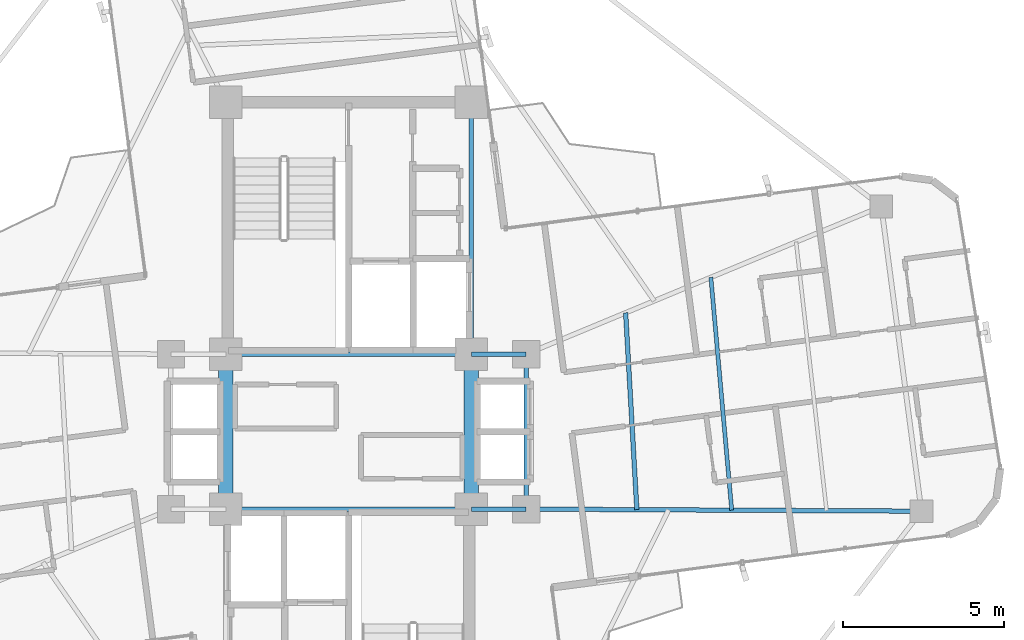
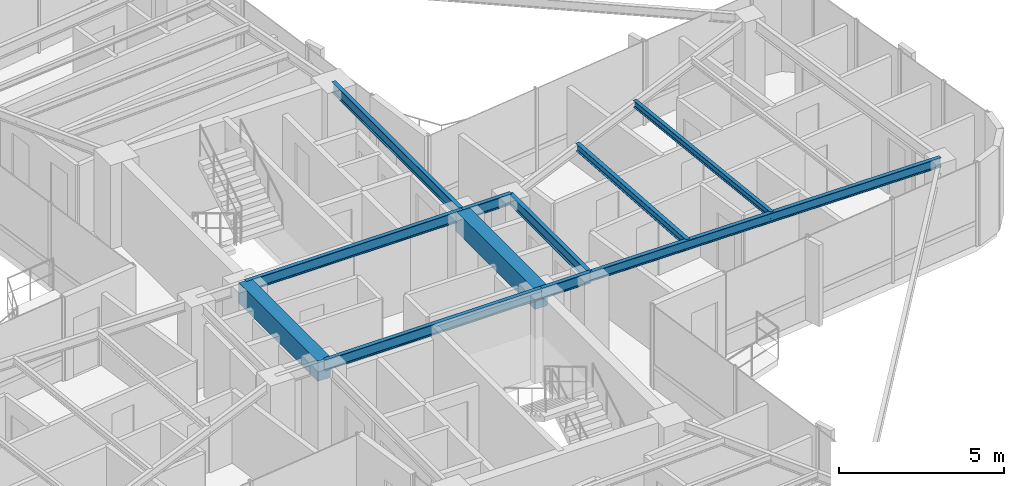
# One storey, part 10 of 23: 11 beams.
"""IFC4 building model written with IfcOpenShell, lengths in metres."""

from ifc_helpers import new_model, si_unit, direction, frame, origin, origin_2d, place, context, subcontext, project, spatial, rectangle, i_section, extrude, source, transform, mapped, material, material_profile, profile_set, type_object, element, save


model = new_model("IFC4")

# Units and contexts
model_context = context("Model", 3, precision=1e-05, world=origin(), true_north=direction((0.0, 1.0)))
body_context = subcontext(model_context, "Body", "Model", "MODEL_VIEW")
ifc_project = project(units=[si_unit("LENGTHUNIT", "METRE"), si_unit("AREAUNIT", "SQUARE_METRE"), si_unit("VOLUMEUNIT", "CUBIC_METRE"), si_unit("PLANEANGLEUNIT", "RADIAN"), si_unit("MASSUNIT", "GRAM", prefix="KILO")], contexts=[model_context])

# Site, building, storey
site_placement = place(None, origin())
site = spatial("IfcSite", under=ifc_project, at=site_placement, CompositionType="ELEMENT")
building_placement = place(site_placement, origin())
building = spatial("IfcBuilding", under=site, at=building_placement, Name="Sahyath Konkavel Grand Hotel", CompositionType="ELEMENT")
storey_placement = place(building_placement, frame((0.0, 0.0, 251.199951171875)))
storey = spatial("IfcBuildingStorey", under=building, at=storey_placement, Name="L70", CompositionType="ELEMENT", Elevation=251.199951171875)

# Beams
ifc_material_1 = material(Name="Steel E350", Category="steel")
ifc_material_profile_1 = material_profile(ifc_material_1, i_section(OverallWidth=0.139892578125, OverallDepth=0.39990234375, WebThickness=0.0087890625, FlangeThickness=0.01611328125, FilletRadius=0.013916015625, at=origin_2d()), Name="ISMB 400")
ifc_profile_set_1 = profile_set([ifc_material_profile_1], Name="Steel E350")
beam_type_1 = type_object("IfcBeamType", Name="BM-ISMB400", PredefinedType="BEAM", material=ifc_profile_set_1)
shared_shape_1 = source(origin(), body_context, "Body", "SweptSolid", [
    extrude(i_section(OverallWidth=0.139892578125, OverallDepth=0.39990234375, WebThickness=0.0087890625, FlangeThickness=0.01611328125, FilletRadius=0.013916015625, at=origin_2d()), origin(), (0.0, 0.0, 1.0), 7.60009765625),
])
for number, where, z_axis, x_axis, name in (
    (1, (-3.800048828125, 2.39990234375, 2.91015625), (1.0, 0.0, 0.0), (0.0, 1.0, 0.0), "str:bm:L70:NC-S"),
    (2, (-3.800048828125, -2.39990234375, 2.91015625), (1.0, 0.0, 0.0), (0.0, 1.0, 0.0), "str:bm:L70:SC-N"),
):
    element("IfcBeam", number, at=place(storey_placement, frame(where, z_axis=z_axis, x_axis=x_axis)), inside=storey, type_object=beam_type_1, Name=name, PredefinedType="BEAM", context=body_context, shape_type="MappedRepresentation", body=[
        mapped(shared_shape_1, transform((0.0, 0.0, 0.0), scale=1.0)),
    ])
shared_shape_2 = source(origin(), body_context, "Body", "SweptSolid", [
    extrude(i_section(OverallWidth=0.139892578125, OverallDepth=0.39990234375, WebThickness=0.0087890625, FlangeThickness=0.01611328125, FilletRadius=0.013916015625, at=origin_2d()), origin(), (0.0, 0.0, 1.0), 7.800048828125),
])
beam_1_placement = place(storey_placement, frame((3.800048828125, 2.39990234375, 2.91015625), z_axis=(0.0, 1.0, 0.0), x_axis=(-1.0, 0.0, 0.0)))
element("IfcBeam", 3, at=beam_1_placement, inside=storey, type_object=beam_type_1, Name="str:bm:L70:NC-E", PredefinedType="BEAM", context=body_context, shape_type="MappedRepresentation", body=[
    mapped(shared_shape_2, transform((0.0, 0.0, 0.0), scale=1.0)),
])
shared_shape_3 = source(origin(), body_context, "Body", "SweptSolid", [
    extrude(i_section(OverallWidth=0.139892578125, OverallDepth=0.39990234375, WebThickness=0.0087890625, FlangeThickness=0.01611328125, FilletRadius=0.013916015625, at=origin_2d()), origin(), (0.0, 0.0, 1.0), 1.699951171875),
])
for number, where, z_axis, x_axis, name in (
    (4, (3.800048828125, 2.39990234375, 2.91015625), (1.0, 0.0, 0.0), (0.0, 1.0, 0.0), "str:bm:L70:HB-NE"),
    (5, (3.800048828125, -2.39990234375, 2.91015625), (1.0, 0.0, 0.0), (0.0, 1.0, 0.0), "str:bm:L70:HB-SE"),
):
    element("IfcBeam", number, at=place(storey_placement, frame(where, z_axis=z_axis, x_axis=x_axis)), inside=storey, type_object=beam_type_1, Name=name, PredefinedType="BEAM", context=body_context, shape_type="MappedRepresentation", body=[
        mapped(shared_shape_3, transform((0.0, 0.0, 0.0), scale=1.0)),
    ])
shared_shape_4 = source(origin(), body_context, "Body", "SweptSolid", [
    extrude(i_section(OverallWidth=0.139892578125, OverallDepth=0.39990234375, WebThickness=0.0087890625, FlangeThickness=0.01611328125, FilletRadius=0.013916015625, at=origin_2d()), origin(), (0.0, 0.0, 1.0), 4.7998046875),
])
beam_2_placement = place(storey_placement, frame((5.5, -2.39990234375, 2.91015625), z_axis=(0.0, 1.0, 0.0), x_axis=(-1.0, 0.0, 0.0)))
element("IfcBeam", 6, at=beam_2_placement, inside=storey, type_object=beam_type_1, Name="str:bm:L70:HB-E", PredefinedType="BEAM", context=body_context, shape_type="MappedRepresentation", body=[
    mapped(shared_shape_4, transform((0.0, 0.0, 0.0), scale=1.0)),
])
ifc_material_2 = material(Name="Concrete C40/50", Category="concrete")
ifc_material_profile_2 = material_profile(ifc_material_2, rectangle(XDim=0.449951171875, YDim=0.75, at=origin_2d()), Name="RC 450x750")
ifc_profile_set_2 = profile_set([ifc_material_profile_2], Name="Concrete C40/50")
beam_type_2 = type_object("IfcBeamType", Name="BM-CB450x750", PredefinedType="LINTEL", material=ifc_profile_set_2)
shared_shape_5 = source(origin(), body_context, "Body", "SweptSolid", [
    extrude(rectangle(XDim=0.449951171875, YDim=0.75, at=origin_2d()), origin(), (0.0, 0.0, 1.0), 4.7998046875),
])
for number, where, z_axis, x_axis, name in (
    (7, (-3.800048828125, -2.39990234375, 2.735107421875), (0.0, 1.0, 0.0), (-1.0, 0.0, 0.0), "L70 Split-Core Coupling Beam West"),
    (8, (3.800048828125, -2.39990234375, 2.735107421875), (0.0, 1.0, 0.0), (-1.0, 0.0, 0.0), "L70 Split-Core Coupling Beam East"),
):
    element("IfcBeam", number, at=place(storey_placement, frame(where, z_axis=z_axis, x_axis=x_axis)), inside=storey, type_object=beam_type_2, Name=name, PredefinedType="LINTEL", context=body_context, shape_type="MappedRepresentation", body=[
        mapped(shared_shape_5, transform((0.0, 0.0, 0.0), scale=1.0)),
    ])
ifc_material_profile_3 = material_profile(ifc_material_1, i_section(OverallWidth=0.139892578125, OverallDepth=0.35009765625, WebThickness=0.008056640625, FlangeThickness=0.01416015625, FilletRadius=0.013916015625, at=origin_2d()), Name="ISMB 350")
ifc_profile_set_3 = profile_set([ifc_material_profile_3], Name="Steel E350")
beam_type_3 = type_object("IfcBeamType", Name="BM-ISMB350", PredefinedType="BEAM", material=ifc_profile_set_3)
shared_shape_6 = source(origin(), body_context, "Body", "SweptSolid", [
    extrude(i_section(OverallWidth=0.139892578125, OverallDepth=0.35009765625, WebThickness=0.008056640625, FlangeThickness=0.01416015625, FilletRadius=0.013916015625, at=origin_2d()), origin(), (0.0, 0.0, 1.0), 12.240478515625),
])
beam_3_placement = place(storey_placement, frame((5.5, -2.39990234375, 2.93505859375), z_axis=(0.999986553521, -0.005185824635, 0.0), x_axis=(0.005185824635, 0.999986553521, 0.0)))
element("IfcBeam", 9, at=beam_3_placement, inside=storey, type_object=beam_type_3, Name="L70 Cruciform Radial Girder EA", PredefinedType="BEAM", context=body_context, shape_type="MappedRepresentation", body=[
    mapped(shared_shape_6, transform((0.0, 0.0, 0.0), scale=1.0)),
])
ifc_material_profile_4 = material_profile(ifc_material_1, i_section(OverallWidth=0.139892578125, OverallDepth=0.27490234375, WebThickness=0.00634765625, FlangeThickness=0.0087890625, FilletRadius=0.012939453125, at=origin_2d()), Name="ISLB 275")
ifc_profile_set_4 = profile_set([ifc_material_profile_4], Name="Steel E350")
beam_type_4 = type_object("IfcBeamType", Name="BM-ISLB275", PredefinedType="BEAM", material=ifc_profile_set_4)
shared_shape_7 = source(origin(), body_context, "Body", "SweptSolid", [
    extrude(i_section(OverallWidth=0.139892578125, OverallDepth=0.27490234375, WebThickness=0.00634765625, FlangeThickness=0.0087890625, FilletRadius=0.012939453125, at=origin_2d()), origin(), (0.0, 0.0, 1.0), 6.107666015625),
])
beam_4_placement = place(storey_placement, frame((8.92724609375, -2.417724609375, 2.97265625), z_axis=(-0.056922291135, 0.998378611936, 0.0), x_axis=(-0.998378611936, -0.056922291135, 0.0)))
element("IfcBeam", 10, at=beam_4_placement, inside=storey, type_object=beam_type_4, Name="L70 Secondary Floor Beam E-1", PredefinedType="BEAM", context=body_context, shape_type="MappedRepresentation", body=[
    mapped(shared_shape_7, transform((0.0, 0.0, 0.0), scale=1.0)),
])
ifc_material_profile_5 = material_profile(ifc_material_1, i_section(OverallWidth=0.125, OverallDepth=0.25, WebThickness=0.0068359375, FlangeThickness=0.012451171875, FilletRadius=0.012939453125, at=origin_2d()), Name="ISMB 250")
ifc_profile_set_5 = profile_set([ifc_material_profile_5], Name="Steel E350")
beam_type_5 = type_object("IfcBeamType", Name="BM-ISMB250", PredefinedType="BEAM", material=ifc_profile_set_5)
shared_shape_8 = source(origin(), body_context, "Body", "SweptSolid", [
    extrude(i_section(OverallWidth=0.125, OverallDepth=0.25, WebThickness=0.0068359375, FlangeThickness=0.012451171875, FilletRadius=0.012939453125, at=origin_2d()), origin(), (0.0, 0.0, 1.0), 7.239013671875),
])
beam_5_placement = place(storey_placement, frame((11.864990234375, -2.43310546875, 2.985107421875), z_axis=(-0.089237243592, 0.996010398719, 0.0), x_axis=(-0.996010398719, -0.089237243592, 0.0)))
element("IfcBeam", 11, at=beam_5_placement, inside=storey, type_object=beam_type_5, Name="L70 Secondary Floor Beam E-2", PredefinedType="BEAM", context=body_context, shape_type="MappedRepresentation", body=[
    mapped(shared_shape_8, transform((0.0, 0.0, 0.0), scale=1.0)),
])

save(model, "model.ifc")
